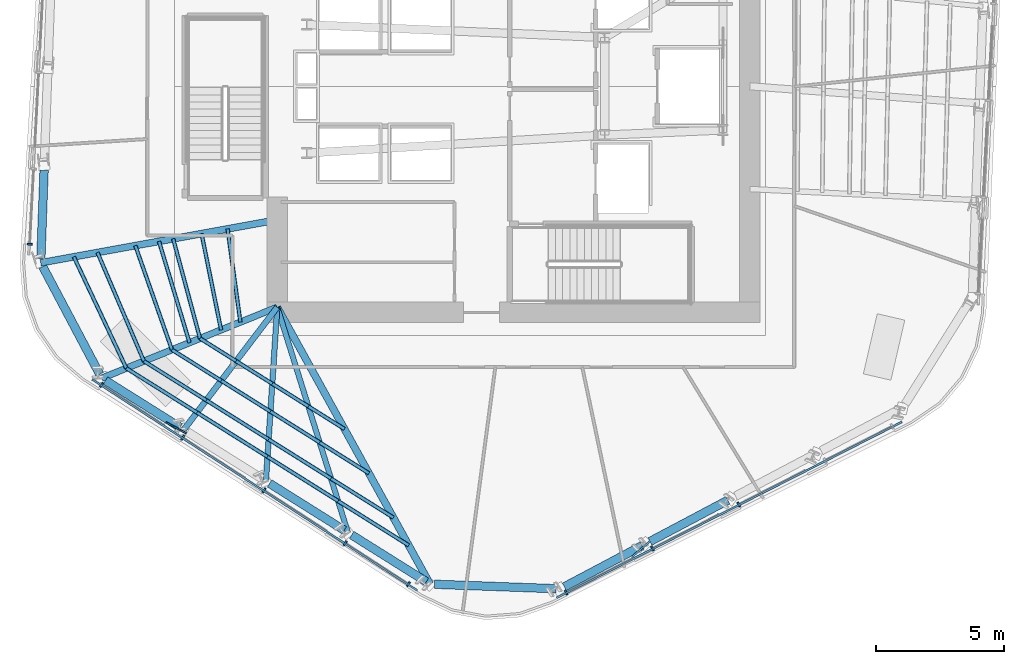
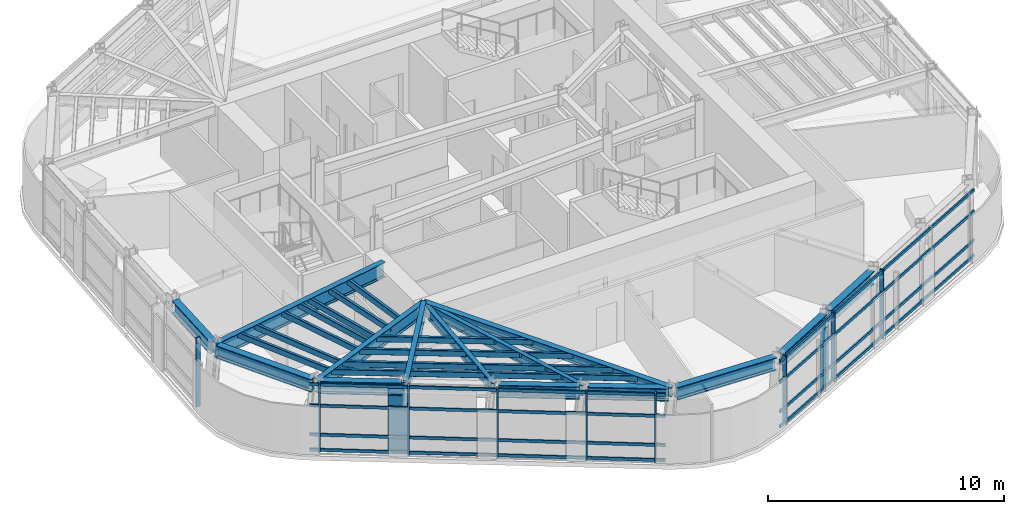
# One storey, part 2 of 14: 42 members, 14 beams, 3 elements without a shape of their own.
"""IFC4 building model written with IfcOpenShell, lengths in metres."""

from ifc_helpers import new_model, si_unit, direction, frame, origin, origin_2d, place, context, subcontext, project, spatial, rectangle, hollow_rectangle, i_section, extrude, material, layer, layer_set, material_profile, profile_set, type_object, element, aggregate, save


model = new_model("IFC4")

# Units and contexts
model_context = context("Model", 3, precision=1e-05, world=origin(), true_north=direction((0.0, 1.0)))
body_context = subcontext(model_context, "Body", "Model", "MODEL_VIEW")
ifc_project = project(units=[si_unit("LENGTHUNIT", "METRE"), si_unit("AREAUNIT", "SQUARE_METRE"), si_unit("VOLUMEUNIT", "CUBIC_METRE"), si_unit("PLANEANGLEUNIT", "RADIAN"), si_unit("MASSUNIT", "GRAM", prefix="KILO")], contexts=[model_context])

# Site, building, storey
site_placement = place(None, origin())
site = spatial("IfcSite", under=ifc_project, at=site_placement, CompositionType="ELEMENT")
building_placement = place(site_placement, origin())
building = spatial("IfcBuilding", under=site, at=building_placement, Name="Valkerne Bourse Tower", CompositionType="ELEMENT")
storey_placement = place(building_placement, frame((0.0, 0.0, 140.0)))
storey = spatial("IfcBuildingStorey", under=building, at=storey_placement, Name="L35", CompositionType="ELEMENT", Elevation=140.0)

# Beams
ifc_material_1 = material(Name="Steel ASTM A992", Category="steel")
ifc_material_profile_1 = material_profile(ifc_material_1, i_section(OverallWidth=0.279296875, OverallDepth=0.46240234375, WebThickness=0.0107421875, FlangeThickness=0.017333984375, FilletRadius=0.017822265625, at=origin_2d()), Name="W18X76")
ifc_profile_set_1 = profile_set([ifc_material_profile_1], Name="Steel ASTM A992")
beam_type_1 = type_object("IfcBeamType", Name="BM-W18X76", PredefinedType="BEAM", material=ifc_profile_set_1)
beam_1_placement = place(storey_placement, frame((43.547607421875, 7.622802734375, 3.348876953125), z_axis=(-0.48317224239, 0.875525318985, 0.0), x_axis=(-0.875525318985, -0.48317224239, 0.0)))
element("IfcBeam", 1, at=beam_1_placement, inside=storey, type_object=beam_type_1, Name="L35 Radial Composite Floor Beam 19", PredefinedType="BEAM", context=body_context, shape_type="SweptSolid", body=[
    extrude(i_section(OverallWidth=0.279296875, OverallDepth=0.46240234375, WebThickness=0.0107421875, FlangeThickness=0.017333984375, FilletRadius=0.017822265625, at=origin_2d()), origin(), (0.0, 0.0, 1.0), 12.309326171875),
])
ifc_material_profile_2 = material_profile(ifc_material_1, i_section(OverallWidth=0.209228515625, OverallDepth=0.533447265625, WebThickness=0.01025390625, FlangeThickness=0.015625, FilletRadius=0.017822265625, at=origin_2d()), Name="W21X62")
ifc_profile_set_2 = profile_set([ifc_material_profile_2], Name="Steel ASTM A992")
beam_type_2 = type_object("IfcBeamType", Name="BM-W21X62", PredefinedType="JOIST", material=ifc_profile_set_2)
beam_2_placement = place(storey_placement, frame((40.353271484375, 9.626708984375, 3.313232421875), z_axis=(-0.29941922562, 0.954121652269, 0.0), x_axis=(-0.954121652269, -0.29941922562, 0.0)))
element("IfcBeam", 2, at=beam_2_placement, inside=storey, type_object=beam_type_2, Name="L35 Radial Composite Floor Beam 18", PredefinedType="JOIST", context=body_context, shape_type="SweptSolid", body=[
    extrude(i_section(OverallWidth=0.209228515625, OverallDepth=0.533447265625, WebThickness=0.01025390625, FlangeThickness=0.015625, FilletRadius=0.017822265625, at=origin_2d()), origin(), (0.0, 0.0, 1.0), 9.195068359375),
])
ifc_material_profile_3 = material_profile(ifc_material_1, i_section(OverallWidth=0.2138671875, OverallDepth=0.548583984375, WebThickness=0.0146484375, FlangeThickness=0.023681640625, FilletRadius=0.017822265625, at=origin_2d()), Name="W21X93")
ifc_profile_set_3 = profile_set([ifc_material_profile_3], Name="Steel ASTM A992")
beam_type_3 = type_object("IfcBeamType", Name="BM-W21X93", PredefinedType="BEAM", material=ifc_profile_set_3)
beam_3_placement = place(storey_placement, frame((37.15869140625, 11.630615234375, 3.3056640625), z_axis=(0.065069009475, 0.997880766428, 0.0), x_axis=(-0.997880766428, 0.065069009475, 0.0)))
element("IfcBeam", 3, at=beam_3_placement, inside=storey, type_object=beam_type_3, Name="L35 Radial Composite Floor Beam 17", PredefinedType="BEAM", context=body_context, shape_type="SweptSolid", body=[
    extrude(i_section(OverallWidth=0.2138671875, OverallDepth=0.548583984375, WebThickness=0.0146484375, FlangeThickness=0.023681640625, FilletRadius=0.017822265625, at=origin_2d()), origin(), (0.0, 0.0, 1.0), 6.78369140625),
])
ifc_material_profile_4 = material_profile(ifc_material_1, i_section(OverallWidth=0.330078125, OverallDepth=0.647705078125, WebThickness=0.0205078125, FlangeThickness=0.037109375, FilletRadius=0.020263671875, at=origin_2d()), Name="W24X192")
ifc_profile_set_4 = profile_set([ifc_material_profile_4], Name="Steel ASTM A992")
beam_type_4 = type_object("IfcBeamType", Name="BM-W24X192", PredefinedType="SPANDREL", material=ifc_profile_set_4)
beam_4_placement = place(storey_placement, frame((28.524658203125, 23.7265625, 3.256103515625), z_axis=(-0.036716894408, -0.999325707497, 0.0), x_axis=(0.999325707497, -0.036716894408, 0.0)))
element("IfcBeam", 4, at=beam_4_placement, inside=storey, type_object=beam_type_4, Name="L35 Hexagonal Spandrel Ring Beam 13", PredefinedType="SPANDREL", context=body_context, shape_type="SweptSolid", body=[
    extrude(i_section(OverallWidth=0.330078125, OverallDepth=0.647705078125, WebThickness=0.0205078125, FlangeThickness=0.037109375, FilletRadius=0.020263671875, at=origin_2d()), origin(), (0.0, 0.0, 1.0), 3.430908203125),
])
beam_5_placement = place(storey_placement, frame((28.47216796875, 19.977783203125, 3.256103515625), z_axis=(0.467920850187, -0.883770376263, 0.0), x_axis=(0.883770376263, 0.467920850187, 0.0)))
element("IfcBeam", 5, at=beam_5_placement, inside=storey, type_object=beam_type_4, Name="L35 Hexagonal Spandrel Ring Beam 14", PredefinedType="SPANDREL", context=body_context, shape_type="SweptSolid", body=[
    extrude(i_section(OverallWidth=0.330078125, OverallDepth=0.647705078125, WebThickness=0.0205078125, FlangeThickness=0.037109375, FilletRadius=0.020263671875, at=origin_2d()), origin(), (0.0, 0.0, 1.0), 4.740234375),
])
for number, where, z_axis, x_axis, name in (
    (6, (30.913818359375, 15.548095703125, 3.256103515625), (0.847089646393, -0.531450026788, 0.0), (0.531450026788, 0.847089646393, 0.0), "L35 Hexagonal Spandrel Ring Beam 15"),
    (7, (37.302734375, 11.540283203125, 3.256103515625), (0.847089646393, -0.531450026788, 0.0), (0.531450026788, 0.847089646393, 0.0), "L35 Hexagonal Spandrel Ring Beam 17"),
    (8, (40.497314453125, 9.536376953125, 3.256103515625), (0.847089646393, -0.531450026788, 0.0), (0.531450026788, 0.847089646393, 0.0), "L35 Hexagonal Spandrel Ring Beam 18"),
):
    element("IfcBeam", number, at=place(storey_placement, frame(where, z_axis=z_axis, x_axis=x_axis)), inside=storey, type_object=beam_type_4, Name=name, PredefinedType="SPANDREL", context=body_context, shape_type="SweptSolid", body=[
        extrude(i_section(OverallWidth=0.330078125, OverallDepth=0.647705078125, WebThickness=0.0205078125, FlangeThickness=0.037109375, FilletRadius=0.020263671875, at=origin_2d()), origin(), (0.0, 0.0, 1.0), 3.43115234375),
    ])
beam_6_placement = place(storey_placement, frame((43.717529296875, 7.616455078125, 3.256103515625), z_axis=(0.999327404596, -0.03667067526, 0.0), x_axis=(0.03667067526, 0.999327404596, 0.0)))
element("IfcBeam", 9, at=beam_6_placement, inside=storey, type_object=beam_type_4, Name="L35 Hexagonal Spandrel Ring Beam 19", PredefinedType="SPANDREL", context=body_context, shape_type="SweptSolid", body=[
    extrude(i_section(OverallWidth=0.330078125, OverallDepth=0.647705078125, WebThickness=0.0205078125, FlangeThickness=0.037109375, FilletRadius=0.020263671875, at=origin_2d()), origin(), (0.0, 0.0, 1.0), 4.740234375),
])
for number, where, z_axis, x_axis, name in (
    (10, (48.774658203125, 7.51611328125, 3.256103515625), (0.883767145391, 0.467926952342, 0.0), (-0.467926952342, 0.883767145391, 0.0), "L35 Hexagonal Spandrel Ring Beam 20"),
    (11, (52.107421875, 9.280517578125, 3.256103515625), (0.883767145391, 0.467926952342, 0.0), (-0.467926952342, 0.883767145391, 0.0), "L35 Hexagonal Spandrel Ring Beam 21"),
):
    element("IfcBeam", number, at=place(storey_placement, frame(where, z_axis=z_axis, x_axis=x_axis)), inside=storey, type_object=beam_type_4, Name=name, PredefinedType="SPANDREL", context=body_context, shape_type="SweptSolid", body=[
        extrude(i_section(OverallWidth=0.330078125, OverallDepth=0.647705078125, WebThickness=0.0205078125, FlangeThickness=0.037109375, FilletRadius=0.020263671875, at=origin_2d()), origin(), (0.0, 0.0, 1.0), 3.430908203125),
    ])
ifc_material_profile_5 = material_profile(ifc_material_1, i_section(OverallWidth=0.228271484375, OverallDepth=0.607177734375, WebThickness=0.01123046875, FlangeThickness=0.017333984375, FilletRadius=0.017822265625, at=origin_2d()), Name="W24X76")
ifc_profile_set_5 = profile_set([ifc_material_profile_5], Name="Steel ASTM A992")
beam_type_5 = type_object("IfcBeamType", Name="BM-W24X76", PredefinedType="JOIST", material=ifc_profile_set_5)
beam_7_placement = place(storey_placement, frame((33.964111328125, 13.634521484375, 3.276611328125), z_axis=(0.606594066344, 0.795011722351, 0.0), x_axis=(-0.795011722351, 0.606594066344, 0.0)))
element("IfcBeam", 12, at=beam_7_placement, inside=storey, type_object=beam_type_5, Name="L35 Radial Composite Floor Beam 16", PredefinedType="JOIST", context=body_context, shape_type="SweptSolid", body=[
    extrude(i_section(OverallWidth=0.228271484375, OverallDepth=0.607177734375, WebThickness=0.01123046875, FlangeThickness=0.017333984375, FilletRadius=0.017822265625, at=origin_2d()), origin(), (0.0, 0.0, 1.0), 5.994140625),
])
ifc_material_profile_6 = material_profile(ifc_material_1, i_section(OverallWidth=0.255859375, OverallDepth=0.693359375, WebThickness=0.014404296875, FlangeThickness=0.023681640625, FilletRadius=0.02294921875, at=origin_2d()), Name="W27X114")
ifc_profile_set_6 = profile_set([ifc_material_profile_6], Name="Steel ASTM A992")
beam_type_6 = type_object("IfcBeamType", Name="BM-W27X114", PredefinedType="BEAM", material=ifc_profile_set_6)
beam_8_placement = place(storey_placement, frame((30.769775390625, 15.63818359375, 3.2333984375), z_axis=(0.927085320225, 0.374850382185, 0.0), x_axis=(-0.374850382185, 0.927085320225, 0.0)))
element("IfcBeam", 13, at=beam_8_placement, inside=storey, type_object=beam_type_6, Name="L35 Radial Composite Floor Beam 15", PredefinedType="BEAM", context=body_context, shape_type="SweptSolid", body=[
    extrude(i_section(OverallWidth=0.255859375, OverallDepth=0.693359375, WebThickness=0.014404296875, FlangeThickness=0.023681640625, FilletRadius=0.02294921875, at=origin_2d()), origin(), (0.0, 0.0, 1.0), 7.367431640625),
])
ifc_material_profile_7 = material_profile(ifc_material_1, i_section(OverallWidth=0.26806640625, OverallDepth=0.76953125, WebThickness=0.015625, FlangeThickness=0.025390625, FilletRadius=0.025390625, at=origin_2d()), Name="W30X132")
ifc_profile_set_7 = profile_set([ifc_material_profile_7], Name="Steel ASTM A992")
beam_type_7 = type_object("IfcBeamType", Name="BM-W30X132", PredefinedType="BEAM", material=ifc_profile_set_7)
beam_9_placement = place(storey_placement, frame((28.392578125, 20.1279296875, 3.1953125), z_axis=(0.983907039109, 0.178681108099, 0.0), x_axis=(-0.178681108099, 0.983907039109, 0.0)))
element("IfcBeam", 14, at=beam_9_placement, inside=storey, type_object=beam_type_7, Name="L35 Radial Composite Floor Beam 14", PredefinedType="BEAM", context=body_context, shape_type="SweptSolid", body=[
    extrude(i_section(OverallWidth=0.26806640625, OverallDepth=0.76953125, WebThickness=0.015625, FlangeThickness=0.025390625, FilletRadius=0.025390625, at=origin_2d()), origin(), (0.0, 0.0, 1.0), 9.358154296875),
])

# Curtain wall, member
ifc_material_2 = material(Name="Aluminium AA 6063-T6", Category="aluminium")
ifc_layer = layer(ifc_material_2, 0.235107421875)
ifc_layer_set = layer_set([ifc_layer], Name="Aluminium AA 6063-T6")
curtain_wall_type = type_object("IfcCurtainWallType", Name="CW-03", PredefinedType="NOTDEFINED", material=ifc_layer_set)
curtain_wall_1_placement = place(storey_placement, origin())
curtain_wall_1 = element("IfcCurtainWall", 15, at=curtain_wall_1_placement, inside=storey, type_object=curtain_wall_type, Name="L35 Hexagonal Stick Curtain Wall Face 3", PredefinedType="NOTDEFINED")
ifc_material_profile_8 = material_profile(ifc_material_2, rectangle(XDim=0.074951171875, YDim=0.199951171875, at=origin_2d()), Name="CWM-75X200")
ifc_profile_set_8 = profile_set([ifc_material_profile_8], Name="Aluminium AA 6063-T6")
member_type_1 = type_object("IfcMemberType", Name="CW-MUL-220X75", PredefinedType="MULLION", material=ifc_profile_set_8)
member_1_placement = place(storey_placement, frame((27.969482421875, 20.85498046875, 0.0), z_axis=(0.0, 0.0, 1.0), x_axis=(-0.052347270988, -0.99862894171, 0.0)))
member_1 = element("IfcMember", 16, at=member_1_placement, type_object=member_type_1, Name="CW-L35-F3 Jamb Mullion 03B", PredefinedType="MULLION", context=body_context, shape_type="SweptSolid", body=[
    extrude(rectangle(XDim=0.074951171875, YDim=0.199951171875, at=origin_2d()), origin(), (0.0, 0.0, 1.0), 3.580078125),
])
aggregate(curtain_wall_1, [member_1])

# Curtain wall, members
curtain_wall_2_placement = place(storey_placement, origin())
curtain_wall_2 = element("IfcCurtainWall", 17, at=curtain_wall_2_placement, inside=storey, type_object=curtain_wall_type, Name="L35 Hexagonal Stick Curtain Wall Face 4", PredefinedType="NOTDEFINED")
member_2_placement = place(storey_placement, frame((30.76025390625, 15.377685546875, 0.0), z_axis=(0.0, 0.0, 1.0), x_axis=(0.838668314411, -0.544642505137, 0.0)))
member_2 = element("IfcMember", 18, at=member_2_placement, type_object=member_type_1, Name="CW-L35-F4 Jamb Mullion 00A", PredefinedType="MULLION", context=body_context, shape_type="SweptSolid", body=[
    extrude(rectangle(XDim=0.074951171875, YDim=0.199951171875, at=origin_2d()), origin(), (0.0, 0.0, 1.0), 3.580078125),
])
member_3_placement = place(storey_placement, frame((33.923095703125, 13.32373046875, 0.0), z_axis=(0.0, 0.0, 1.0), x_axis=(0.838672561028, -0.544635965924, 0.0)))
member_3 = element("IfcMember", 19, at=member_3_placement, type_object=member_type_1, Name="CW-L35-F4 Jamb Mullion 01A", PredefinedType="MULLION", context=body_context, shape_type="SweptSolid", body=[
    extrude(rectangle(XDim=0.074951171875, YDim=0.199951171875, at=origin_2d()), origin(), (0.0, 0.0, 1.0), 3.580078125),
])
member_4_placement = place(storey_placement, frame((37.085693359375, 11.27001953125, 0.0), z_axis=(0.0, 0.0, 1.0), x_axis=(0.838672561028, -0.544635965924, 0.0)))
member_4 = element("IfcMember", 20, at=member_4_placement, type_object=member_type_1, Name="CW-L35-F4 Jamb Mullion 02A", PredefinedType="MULLION", context=body_context, shape_type="SweptSolid", body=[
    extrude(rectangle(XDim=0.074951171875, YDim=0.199951171875, at=origin_2d()), origin(), (0.0, 0.0, 1.0), 3.580078125),
])
member_5_placement = place(storey_placement, frame((40.248291015625, 9.216064453125, 0.0), z_axis=(0.0, 0.0, 1.0), x_axis=(0.838660448128, -0.544654617851, 0.0)))
member_5 = element("IfcMember", 21, at=member_5_placement, type_object=member_type_1, Name="CW-L35-F4 Jamb Mullion 03A", PredefinedType="MULLION", context=body_context, shape_type="SweptSolid", body=[
    extrude(rectangle(XDim=0.074951171875, YDim=0.199951171875, at=origin_2d()), origin(), (0.0, 0.0, 1.0), 3.580078125),
])
member_6_placement = place(storey_placement, frame((42.706298828125, 7.61962890625, 0.0), z_axis=(0.0, 0.0, 1.0), x_axis=(0.838660448128, -0.544654617851, 0.0)))
member_6 = element("IfcMember", 22, at=member_6_placement, type_object=member_type_1, Name="CW-L35-F4 Jamb Mullion 03B", PredefinedType="MULLION", context=body_context, shape_type="SweptSolid", body=[
    extrude(rectangle(XDim=0.074951171875, YDim=0.199951171875, at=origin_2d()), origin(), (0.0, 0.0, 1.0), 3.580078125),
])

curtain_wall_3_placement = place(storey_placement, origin())
curtain_wall_3 = element("IfcCurtainWall", 23, at=curtain_wall_3_placement, inside=storey, type_object=curtain_wall_type, Name="L35 Hexagonal Stick Curtain Wall Face 5", PredefinedType="NOTDEFINED")
member_7_placement = place(storey_placement, frame((48.845458984375, 7.298095703125, 0.0), z_axis=(0.0, 0.0, 1.0), x_axis=(0.891007115267, 0.453989339681, 0.0)))
member_7 = element("IfcMember", 24, at=member_7_placement, type_object=member_type_1, Name="CW-L35-F5 Jamb Mullion 00A", PredefinedType="MULLION", context=body_context, shape_type="SweptSolid", body=[
    extrude(rectangle(XDim=0.074951171875, YDim=0.199951171875, at=origin_2d()), origin(), (0.0, 0.0, 1.0), 3.580078125),
])
member_8_placement = place(storey_placement, frame((52.20556640625, 9.010009765625, 0.0), z_axis=(0.0, 0.0, 1.0), x_axis=(0.891007115267, 0.453989339681, 0.0)))
member_8 = element("IfcMember", 25, at=member_8_placement, type_object=member_type_1, Name="CW-L35-F5 Jamb Mullion 01A", PredefinedType="MULLION", context=body_context, shape_type="SweptSolid", body=[
    extrude(rectangle(XDim=0.074951171875, YDim=0.199951171875, at=origin_2d()), origin(), (0.0, 0.0, 1.0), 3.580078125),
])
member_9_placement = place(storey_placement, frame((55.5654296875, 10.721923828125, 0.0), z_axis=(0.0, 0.0, 1.0), x_axis=(0.891001649528, 0.454000066671, 0.0)))
member_9 = element("IfcMember", 26, at=member_9_placement, type_object=member_type_1, Name="CW-L35-F5 Jamb Mullion 02A", PredefinedType="MULLION", context=body_context, shape_type="SweptSolid", body=[
    extrude(rectangle(XDim=0.074951171875, YDim=0.199951171875, at=origin_2d()), origin(), (0.0, 0.0, 1.0), 3.580078125),
])

# Member
ifc_material_profile_9 = material_profile(ifc_material_2, rectangle(XDim=0.074951171875, YDim=0.14990234375, at=origin_2d()), Name="CWT-75X150")
ifc_profile_set_9 = profile_set([ifc_material_profile_9], Name="Aluminium AA 6063-T6")
member_type_2 = type_object("IfcMemberType", Name="CW-TRN-180X65", PredefinedType="USERDEFINED", material=ifc_profile_set_9)
member_10_placement = place(storey_placement, frame((30.397216796875, 15.589599609375, 0.1201171875), z_axis=(0.838668378466, -0.544642406503, 0.0), x_axis=(0.544642406503, 0.838668378466, 0.0)))
member_10 = element("IfcMember", 27, at=member_10_placement, type_object=member_type_2, Name="CW-L35-F4 Continuous Face Transom 1", ObjectType="TRANSOM", PredefinedType="USERDEFINED", context=body_context, shape_type="SweptSolid", body=[
    extrude(rectangle(XDim=0.074951171875, YDim=0.14990234375, at=origin_2d()), origin(), (0.0, 0.0, 1.0), 15.083984375),
])

member_11_placement = place(storey_placement, frame((30.397216796875, 15.589599609375, 0.89990234375), z_axis=(0.838668378466, -0.544642406503, 0.0), x_axis=(0.544642406503, 0.838668378466, 0.0)))
member_11 = element("IfcMember", 28, at=member_11_placement, type_object=member_type_2, Name="CW-L35-F4 Continuous Face Transom 2", ObjectType="TRANSOM", PredefinedType="USERDEFINED", context=body_context, shape_type="SweptSolid", body=[
    extrude(rectangle(XDim=0.074951171875, YDim=0.14990234375, at=origin_2d()), origin(), (0.0, 0.0, 1.0), 15.083984375),
])

member_12_placement = place(storey_placement, frame((30.397216796875, 15.589599609375, 2.39990234375), z_axis=(0.838668378466, -0.544642406503, 0.0), x_axis=(0.544642406503, 0.838668378466, 0.0)))
member_12 = element("IfcMember", 29, at=member_12_placement, type_object=member_type_2, Name="CW-L35-F4 Continuous Face Transom 3", ObjectType="TRANSOM", PredefinedType="USERDEFINED", context=body_context, shape_type="SweptSolid", body=[
    extrude(rectangle(XDim=0.074951171875, YDim=0.14990234375, at=origin_2d()), origin(), (0.0, 0.0, 1.0), 15.083984375),
])

member_13_placement = place(storey_placement, frame((30.397216796875, 15.589599609375, 3.5), z_axis=(0.838668378466, -0.544642406503, 0.0), x_axis=(0.544642406503, 0.838668378466, 0.0)))
member_13 = element("IfcMember", 30, at=member_13_placement, type_object=member_type_2, Name="CW-L35-F4 Continuous Face Transom 4", ObjectType="TRANSOM", PredefinedType="USERDEFINED", context=body_context, shape_type="SweptSolid", body=[
    extrude(rectangle(XDim=0.074951171875, YDim=0.14990234375, at=origin_2d()), origin(), (0.0, 0.0, 1.0), 15.083984375),
])

aggregate(curtain_wall_2, [member_10, member_11, member_12, member_13, member_2, member_3, member_4, member_5, member_6])

member_14_placement = place(storey_placement, frame((48.480224609375, 7.089599609375, 0.1201171875), z_axis=(0.891008985869, 0.453985668386, 0.0), x_axis=(-0.453985668386, 0.891008985869, 0.0)))
member_14 = element("IfcMember", 31, at=member_14_placement, type_object=member_type_2, Name="CW-L35-F5 Continuous Face Transom 1", ObjectType="TRANSOM", PredefinedType="USERDEFINED", context=body_context, shape_type="SweptSolid", body=[
    extrude(rectangle(XDim=0.074951171875, YDim=0.14990234375, at=origin_2d()), origin(), (0.0, 0.0, 1.0), 15.083984375),
])

member_15_placement = place(storey_placement, frame((48.480224609375, 7.089599609375, 0.89990234375), z_axis=(0.891008985869, 0.453985668386, 0.0), x_axis=(-0.453985668386, 0.891008985869, 0.0)))
member_15 = element("IfcMember", 32, at=member_15_placement, type_object=member_type_2, Name="CW-L35-F5 Continuous Face Transom 2", ObjectType="TRANSOM", PredefinedType="USERDEFINED", context=body_context, shape_type="SweptSolid", body=[
    extrude(rectangle(XDim=0.074951171875, YDim=0.14990234375, at=origin_2d()), origin(), (0.0, 0.0, 1.0), 15.083984375),
])

member_16_placement = place(storey_placement, frame((48.480224609375, 7.089599609375, 2.39990234375), z_axis=(0.891008985869, 0.453985668386, 0.0), x_axis=(-0.453985668386, 0.891008985869, 0.0)))
member_16 = element("IfcMember", 33, at=member_16_placement, type_object=member_type_2, Name="CW-L35-F5 Continuous Face Transom 3", ObjectType="TRANSOM", PredefinedType="USERDEFINED", context=body_context, shape_type="SweptSolid", body=[
    extrude(rectangle(XDim=0.074951171875, YDim=0.14990234375, at=origin_2d()), origin(), (0.0, 0.0, 1.0), 15.083984375),
])

member_17_placement = place(storey_placement, frame((48.480224609375, 7.089599609375, 3.5), z_axis=(0.891008985869, 0.453985668386, 0.0), x_axis=(-0.453985668386, 0.891008985869, 0.0)))
member_17 = element("IfcMember", 34, at=member_17_placement, type_object=member_type_2, Name="CW-L35-F5 Continuous Face Transom 4", ObjectType="TRANSOM", PredefinedType="USERDEFINED", context=body_context, shape_type="SweptSolid", body=[
    extrude(rectangle(XDim=0.074951171875, YDim=0.14990234375, at=origin_2d()), origin(), (0.0, 0.0, 1.0), 15.083984375),
])

aggregate(curtain_wall_3, [member_14, member_15, member_16, member_17, member_7, member_8, member_9])

# Members
ifc_material_3 = material(Name="Bronze Anodised Aluminium AA 6063-T6", Category="aluminium")
ifc_material_profile_10 = material_profile(ifc_material_3, rectangle(XDim=0.070068359375, YDim=0.89990234375, at=origin_2d()), Name="FIN-70X900")
ifc_profile_set_10 = profile_set([ifc_material_profile_10], Name="Bronze Anodised Aluminium AA 6063-T6")
member_type_3 = type_object("IfcMemberType", Name="FIN-SOLAR-900", PredefinedType="USERDEFINED", material=ifc_profile_set_10)
for number, where, z_axis, x_axis, name in (
    (35, (33.668701171875, 13.703369140625, 0.00390625), (0.0, 0.0, 1.0), (-0.474494560341, -0.880258434897, 0.0), "L35 Bronze Anodised Solar Fin F4-01"),
    (36, (51.74951171875, 8.979736328125, 0.00390625), (0.0, 0.0, 1.0), (0.652964547839, -0.757388473153, 0.0), "L35 Bronze Anodised Solar Fin F5-01"),
):
    element("IfcMember", number, at=place(storey_placement, frame(where, z_axis=z_axis, x_axis=x_axis)), inside=storey, type_object=member_type_3, Name=name, ObjectType="SOLAR_FIN", PredefinedType="USERDEFINED", context=body_context, shape_type="SweptSolid", body=[
        extrude(rectangle(XDim=0.070068359375, YDim=0.89990234375, at=origin_2d()), origin(), (0.0, 0.0, 1.0), 3.572021484375),
    ])
ifc_material_4 = material(Name="Steel ASTM A500 Grade C", Category="steel")
ifc_material_profile_11 = material_profile(ifc_material_4, hollow_rectangle(XDim=0.14990234375, YDim=0.300048828125, WallThickness=0.012451171875, OuterFilletRadius=0.02490234375, at=origin_2d()), Name="HSS300X150X12.5")
ifc_profile_set_11 = profile_set([ifc_material_profile_11], Name="Steel ASTM A500 Grade C")
member_type_4 = type_object("IfcMemberType", Name="MBR-HSS300X150X12.5", PredefinedType="PURLIN", material=ifc_profile_set_11)
member_18_placement = place(storey_placement, frame((34.653564453125, 21.264892578125, 3.419921875), z_axis=(0.198889432734, -0.980021935238, 0.0), x_axis=(0.980021935238, 0.198889432734, 0.0)))
element("IfcMember", 37, at=member_18_placement, inside=storey, type_object=member_type_4, Name="L35 Secondary Composite Floor Purlin I-14", PredefinedType="PURLIN", context=body_context, shape_type="SweptSolid", body=[
    extrude(hollow_rectangle(XDim=0.14990234375, YDim=0.300048828125, WallThickness=0.012451171875, OuterFilletRadius=0.02490234375, at=origin_2d()), origin(), (0.0, 0.0, 1.0), 3.824951171875),
])
member_19_placement = place(storey_placement, frame((33.548583984375, 21.064208984375, 3.419921875), z_axis=(0.260365681958, -0.965510078486, 0.0), x_axis=(0.965510078486, 0.260365681958, 0.0)))
element("IfcMember", 38, at=member_19_placement, inside=storey, type_object=member_type_4, Name="L35 Secondary Composite Floor Purlin K-14", PredefinedType="PURLIN", context=body_context, shape_type="SweptSolid", body=[
    extrude(hollow_rectangle(XDim=0.14990234375, YDim=0.300048828125, WallThickness=0.012451171875, OuterFilletRadius=0.02490234375, at=origin_2d()), origin(), (0.0, 0.0, 1.0), 4.01806640625),
])
for number, where, z_axis, x_axis, name in (
    (39, (34.5947265625, 17.184814453125, 3.419921875), (0.847079480735, -0.531466229706, 0.0), (0.531466229706, 0.847079480735, 0.0), "L35 Secondary Composite Floor Purlin K-15"),
    (40, (36.000244140625, 16.302978515625, 3.419921875), (0.84714572047, -0.531360638634, 0.0), (0.531360638634, 0.84714572047, 0.0), "L35 Secondary Composite Floor Purlin K-16"),
    (41, (37.40576171875, 15.42138671875, 3.419921875), (0.84714572047, -0.531360638634, 0.0), (0.531360638634, 0.84714572047, 0.0), "L35 Secondary Composite Floor Purlin K-17"),
):
    element("IfcMember", number, at=place(storey_placement, frame(where, z_axis=z_axis, x_axis=x_axis)), inside=storey, type_object=member_type_4, Name=name, PredefinedType="PURLIN", context=body_context, shape_type="SweptSolid", body=[
        extrude(hollow_rectangle(XDim=0.14990234375, YDim=0.300048828125, WallThickness=0.012451171875, OuterFilletRadius=0.02490234375, at=origin_2d()), origin(), (0.0, 0.0, 1.0), 1.6591796875),
    ])
member_20_placement = place(storey_placement, frame((38.811279296875, 14.539794921875, 3.419921875), z_axis=(0.847121033324, -0.531399995201, 0.0), x_axis=(0.531399995201, 0.847121033324, 0.0)))
element("IfcMember", 42, at=member_20_placement, inside=storey, type_object=member_type_4, Name="L35 Secondary Composite Floor Purlin K-18", PredefinedType="PURLIN", context=body_context, shape_type="SweptSolid", body=[
    extrude(hollow_rectangle(XDim=0.14990234375, YDim=0.300048828125, WallThickness=0.012451171875, OuterFilletRadius=0.02490234375, at=origin_2d()), origin(), (0.0, 0.0, 1.0), 1.659423828125),
])
member_21_placement = place(storey_placement, frame((32.996337890625, 20.964111328125, 3.419921875), z_axis=(0.288451243251, -0.957494584981, 0.0), x_axis=(0.957494584981, 0.288451243251, 0.0)))
element("IfcMember", 43, at=member_21_placement, inside=storey, type_object=member_type_4, Name="L35 Secondary Composite Floor Purlin M-14", PredefinedType="PURLIN", context=body_context, shape_type="SweptSolid", body=[
    extrude(hollow_rectangle(XDim=0.14990234375, YDim=0.300048828125, WallThickness=0.012451171875, OuterFilletRadius=0.02490234375, at=origin_2d()), origin(), (0.0, 0.0, 1.0), 4.1201171875),
])
member_22_placement = place(storey_placement, frame((30.602294921875, 20.529296875, 3.419921875), z_axis=(0.39291297834, -0.919575658362, 0.0), x_axis=(0.919575658362, 0.39291297834, 0.0)))
element("IfcMember", 44, at=member_22_placement, inside=storey, type_object=member_type_4, Name="L35 Secondary Composite Floor Purlin O-14", PredefinedType="PURLIN", context=body_context, shape_type="SweptSolid", body=[
    extrude(hollow_rectangle(XDim=0.14990234375, YDim=0.300048828125, WallThickness=0.012451171875, OuterFilletRadius=0.02490234375, at=origin_2d()), origin(), (0.0, 0.0, 1.0), 4.59814453125),
])
for number, where, z_axis, x_axis, name in (
    (45, (32.408935546875, 16.301025390625, 3.419921875), (0.847140585242, -0.531368825615, 0.0), (0.531368825615, 0.847140585242, 0.0), "L35 Secondary Composite Floor Purlin O-15"),
    (46, (34.8369140625, 14.778076171875, 3.419921875), (0.847116531101, -0.531407172266, 0.0), (0.531407172266, 0.847116531101, 0.0), "L35 Secondary Composite Floor Purlin O-16"),
    (47, (37.2646484375, 13.255126953125, 3.419921875), (0.847116531101, -0.531407172266, 0.0), (0.531407172266, 0.847116531101, 0.0), "L35 Secondary Composite Floor Purlin O-17"),
    (48, (39.6923828125, 11.732177734375, 3.419921875), (0.847140585242, -0.531368825615, 0.0), (0.531368825615, 0.847140585242, 0.0), "L35 Secondary Composite Floor Purlin O-18"),
):
    element("IfcMember", number, at=place(storey_placement, frame(where, z_axis=z_axis, x_axis=x_axis)), inside=storey, type_object=member_type_4, Name=name, PredefinedType="PURLIN", context=body_context, shape_type="SweptSolid", body=[
        extrude(hollow_rectangle(XDim=0.14990234375, YDim=0.300048828125, WallThickness=0.012451171875, OuterFilletRadius=0.02490234375, at=origin_2d()), origin(), (0.0, 0.0, 1.0), 2.865966796875),
    ])
member_23_placement = place(storey_placement, frame((32.07568359375, 20.796630859375, 3.419921875), z_axis=(0.331848166443, -0.943332812123, 0.0), x_axis=(0.943332812123, 0.331848166443, 0.0)))
element("IfcMember", 49, at=member_23_placement, inside=storey, type_object=member_type_4, Name="L35 Secondary Composite Floor Purlin Z-14", PredefinedType="PURLIN", context=body_context, shape_type="SweptSolid", body=[
    extrude(hollow_rectangle(XDim=0.14990234375, YDim=0.300048828125, WallThickness=0.012451171875, OuterFilletRadius=0.02490234375, at=origin_2d()), origin(), (0.0, 0.0, 1.0), 4.297119140625),
])
member_24_placement = place(storey_placement, frame((33.501708984375, 16.742919921875, 3.419921875), z_axis=(0.84711818209, -0.531404540414, 0.0), x_axis=(0.531404540414, 0.84711818209, 0.0)))
element("IfcMember", 50, at=member_24_placement, inside=storey, type_object=member_type_4, Name="L35 Secondary Composite Floor Purlin Z-15", PredefinedType="PURLIN", context=body_context, shape_type="SweptSolid", body=[
    extrude(hollow_rectangle(XDim=0.14990234375, YDim=0.300048828125, WallThickness=0.012451171875, OuterFilletRadius=0.02490234375, at=origin_2d()), origin(), (0.0, 0.0, 1.0), 2.2626953125),
])
member_25_placement = place(storey_placement, frame((35.41845703125, 15.54052734375, 3.419921875), z_axis=(0.847166753593, -0.531327104152, 0.0), x_axis=(0.531327104152, 0.847166753593, 0.0)))
element("IfcMember", 51, at=member_25_placement, inside=storey, type_object=member_type_4, Name="L35 Secondary Composite Floor Purlin Z-16", PredefinedType="PURLIN", context=body_context, shape_type="SweptSolid", body=[
    extrude(hollow_rectangle(XDim=0.14990234375, YDim=0.300048828125, WallThickness=0.012451171875, OuterFilletRadius=0.02490234375, at=origin_2d()), origin(), (0.0, 0.0, 1.0), 2.262451171875),
])
for number, where, z_axis, x_axis, name in (
    (52, (37.335205078125, 14.33837890625, 3.419921875), (0.84711818209, -0.531404540414, 0.0), (0.531404540414, 0.84711818209, 0.0), "L35 Secondary Composite Floor Purlin Z-17"),
    (53, (39.251953125, 13.135986328125, 3.419921875), (0.84711818209, -0.531404540414, 0.0), (0.531404540414, 0.84711818209, 0.0), "L35 Secondary Composite Floor Purlin Z-18"),
):
    element("IfcMember", number, at=place(storey_placement, frame(where, z_axis=z_axis, x_axis=x_axis)), inside=storey, type_object=member_type_4, Name=name, PredefinedType="PURLIN", context=body_context, shape_type="SweptSolid", body=[
        extrude(hollow_rectangle(XDim=0.14990234375, YDim=0.300048828125, WallThickness=0.012451171875, OuterFilletRadius=0.02490234375, at=origin_2d()), origin(), (0.0, 0.0, 1.0), 2.2626953125),
    ])
member_26_placement = place(storey_placement, frame((35.66650390625, 21.448974609375, 3.419921875), z_axis=(0.13623142301, -0.990677040909, 0.0), x_axis=(0.990677040909, 0.13623142301, 0.0)))
element("IfcMember", 54, at=member_26_placement, inside=storey, type_object=member_type_4, Name="L35 Secondary Composite Floor Purlin S-14", PredefinedType="PURLIN", context=body_context, shape_type="SweptSolid", body=[
    extrude(hollow_rectangle(XDim=0.14990234375, YDim=0.300048828125, WallThickness=0.012451171875, OuterFilletRadius=0.02490234375, at=origin_2d()), origin(), (0.0, 0.0, 1.0), 3.6630859375),
])
member_27_placement = place(storey_placement, frame((29.681640625, 20.362060546875, 3.419921875), z_axis=(0.426338886404, -0.904563515702, 0.0), x_axis=(0.904563515702, 0.426338886404, 0.0)))
element("IfcMember", 55, at=member_27_placement, inside=storey, type_object=member_type_4, Name="L35 Secondary Composite Floor Purlin T-14", PredefinedType="PURLIN", context=body_context, shape_type="SweptSolid", body=[
    extrude(hollow_rectangle(XDim=0.14990234375, YDim=0.300048828125, WallThickness=0.012451171875, OuterFilletRadius=0.02490234375, at=origin_2d()), origin(), (0.0, 0.0, 1.0), 4.794677734375),
])
for number, where, z_axis, x_axis, name in (
    (56, (31.725830078125, 16.02490234375, 3.419921875), (0.847121704254, -0.531398925649, 0.0), (0.531398925649, 0.847121704254, 0.0), "L35 Secondary Composite Floor Purlin T-15"),
    (57, (34.47314453125, 14.301513671875, 3.419921875), (0.847121704254, -0.531398925649, 0.0), (0.531398925649, 0.847121704254, 0.0), "L35 Secondary Composite Floor Purlin T-16"),
):
    element("IfcMember", number, at=place(storey_placement, frame(where, z_axis=z_axis, x_axis=x_axis)), inside=storey, type_object=member_type_4, Name=name, PredefinedType="PURLIN", context=body_context, shape_type="SweptSolid", body=[
        extrude(hollow_rectangle(XDim=0.14990234375, YDim=0.300048828125, WallThickness=0.012451171875, OuterFilletRadius=0.02490234375, at=origin_2d()), origin(), (0.0, 0.0, 1.0), 3.2431640625),
    ])
member_28_placement = place(storey_placement, frame((37.220458984375, 12.578125, 3.419921875), z_axis=(0.847155591734, -0.5313449006, 0.0), x_axis=(0.5313449006, 0.847155591734, 0.0)))
element("IfcMember", 58, at=member_28_placement, inside=storey, type_object=member_type_4, Name="L35 Secondary Composite Floor Purlin T-17", PredefinedType="PURLIN", context=body_context, shape_type="SweptSolid", body=[
    extrude(hollow_rectangle(XDim=0.14990234375, YDim=0.300048828125, WallThickness=0.012451171875, OuterFilletRadius=0.02490234375, at=origin_2d()), origin(), (0.0, 0.0, 1.0), 3.242919921875),
])
member_29_placement = place(storey_placement, frame((39.9677734375, 10.85498046875, 3.419921875), z_axis=(0.847121704254, -0.531398925649, 0.0), x_axis=(0.531398925649, 0.847121704254, 0.0)))
element("IfcMember", 59, at=member_29_placement, inside=storey, type_object=member_type_4, Name="L35 Secondary Composite Floor Purlin T-18", PredefinedType="PURLIN", context=body_context, shape_type="SweptSolid", body=[
    extrude(hollow_rectangle(XDim=0.14990234375, YDim=0.300048828125, WallThickness=0.012451171875, OuterFilletRadius=0.02490234375, at=origin_2d()), origin(), (0.0, 0.0, 1.0), 3.2431640625),
])

save(model, "model.ifc")
